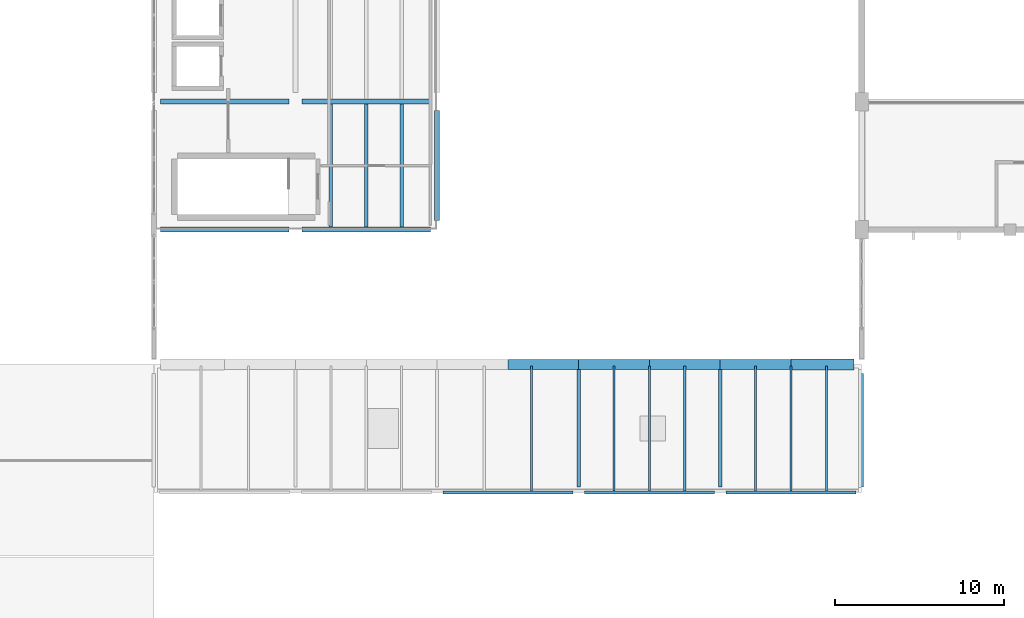
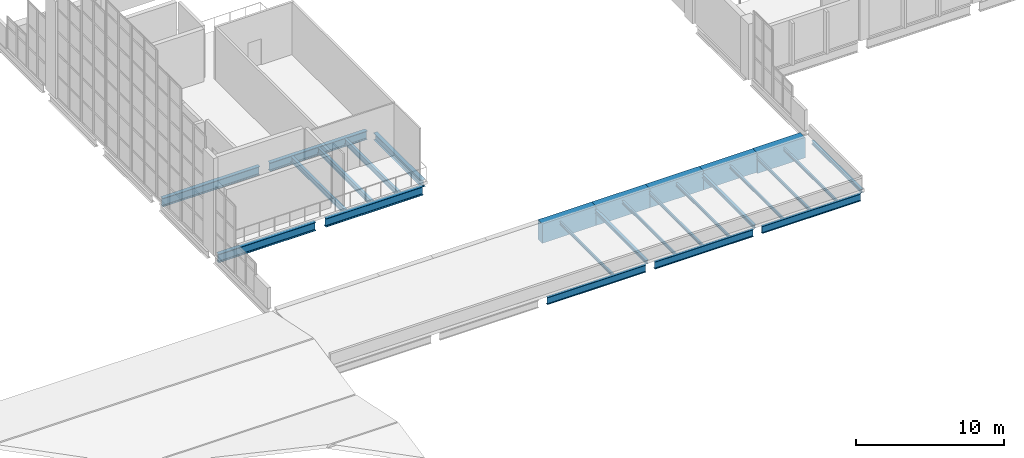
# One storey, part 11 of 37: 26 beams.
"""IFC4 building model written with IfcOpenShell, lengths in metres."""

from ifc_helpers import new_model, si_unit, direction, frame, origin, origin_2d, place, context, subcontext, project, spatial, rectangle, i_section, extrude, material, material_profile, profile_set, type_object, element, save


model = new_model("IFC4")

# Units and contexts
model_context = context("Model", 3, precision=1e-05, world=origin(), true_north=direction((0.0, 1.0)))
body_context = subcontext(model_context, "Body", "Model", "MODEL_VIEW")
ifc_project = project(units=[si_unit("LENGTHUNIT", "METRE"), si_unit("AREAUNIT", "SQUARE_METRE"), si_unit("VOLUMEUNIT", "CUBIC_METRE"), si_unit("PLANEANGLEUNIT", "RADIAN"), si_unit("MASSUNIT", "GRAM", prefix="KILO")], contexts=[model_context])

# Site, building, storey
site_placement = place(None, origin())
site = spatial("IfcSite", under=ifc_project, at=site_placement, CompositionType="ELEMENT")
building_placement = place(site_placement, origin())
building = spatial("IfcBuilding", under=site, at=building_placement, Name="Shengluoqiao Park Theatre", CompositionType="ELEMENT")
storey_placement = place(building_placement, frame((0.0, 0.0, 19.199951171875)))
storey = spatial("IfcBuildingStorey", under=building, at=storey_placement, Name="L04", CompositionType="ELEMENT", Elevation=19.199951171875)

# Beams
ifc_material_1 = material(Name="Concrete C50", Category="concrete")
ifc_material_profile_1 = material_profile(ifc_material_1, rectangle(XDim=0.60009765625, YDim=1.60009765625, at=origin_2d()), Name="RC EDGE 600x1600")
ifc_profile_set_1 = profile_set([ifc_material_profile_1], Name="Concrete C50")
beam_type_1 = type_object("IfcBeamType", Name="STR-BM-EB-6016", PredefinedType="BEAM", material=ifc_profile_set_1)
beam_1_placement = place(storey_placement, frame((65.39990234375, 76.0, -0.800048828125), z_axis=(1.0, 0.0, 0.0), x_axis=(0.0, 1.0, 0.0)))
element("IfcBeam", 1, at=beam_1_placement, inside=storey, type_object=beam_type_1, Name="Barrel-Shell Form I Edge Beam S-06", PredefinedType="BEAM", context=body_context, shape_type="SweptSolid", body=[
    extrude(rectangle(XDim=0.60009765625, YDim=1.60009765625, at=origin_2d()), origin(), (0.0, 0.0, 1.0), 4.2001953125),
])
for number, where, z_axis, x_axis, name in (
    (2, (69.60009765625, 76.0, -0.800048828125), (1.0, 0.0, 0.0), (0.0, 1.0, 0.0), "Barrel-Shell Form I Edge Beam S-07"),
    (3, (73.800048828125, 76.0, -0.800048828125), (1.0, 0.0, 0.0), (0.0, 1.0, 0.0), "Barrel-Shell Form I Edge Beam S-08"),
    (4, (78.0, 76.0, -0.800048828125), (1.0, 0.0, 0.0), (0.0, 1.0, 0.0), "Barrel-Shell Form I Edge Beam S-09"),
):
    element("IfcBeam", number, at=place(storey_placement, frame(where, z_axis=z_axis, x_axis=x_axis)), inside=storey, type_object=beam_type_1, Name=name, PredefinedType="BEAM", context=body_context, shape_type="SweptSolid", body=[
        extrude(rectangle(XDim=0.60009765625, YDim=1.60009765625, at=origin_2d()), origin(), (0.0, 0.0, 1.0), 4.199951171875),
    ])
ifc_material_profile_2 = material_profile(ifc_material_1, rectangle(XDim=0.64990234375, YDim=1.699951171875, at=origin_2d()), Name="RC EDGE 650x1700")
ifc_profile_set_2 = profile_set([ifc_material_profile_2], Name="Concrete C50")
beam_type_2 = type_object("IfcBeamType", Name="STR-BM-EB-6517", PredefinedType="BEAM", material=ifc_profile_set_2)
beam_2_placement = place(storey_placement, frame((82.199951171875, 76.0, -0.849853515625), z_axis=(1.0, 0.0, 0.0), x_axis=(0.0, 1.0, 0.0)))
element("IfcBeam", 5, at=beam_2_placement, inside=storey, type_object=beam_type_2, Name="Barrel-Shell Form I Edge Beam S-10", PredefinedType="BEAM", context=body_context, shape_type="SweptSolid", body=[
    extrude(rectangle(XDim=0.64990234375, YDim=1.699951171875, at=origin_2d()), origin(), (0.0, 0.0, 1.0), 3.75),
])
ifc_material_2 = material(Name="Steel Q355", Category="steel")
ifc_material_profile_3 = material_profile(ifc_material_2, i_section(OverallWidth=0.199951171875, OverallDepth=0.2939453125, WebThickness=0.008056640625, FlangeThickness=0.011962890625, FilletRadius=0.01611328125, at=origin_2d()), Name="HM 294x200x8x12")
ifc_profile_set_3 = profile_set([ifc_material_profile_3], Name="Steel Q355")
beam_type_3 = type_object("IfcBeamType", Name="STR-BM-G-HM294", PredefinedType="BEAM", material=ifc_profile_set_3)
for number, where, z_axis, x_axis, name in (
    (6, (69.60009765625, 68.743896484375, -0.39697265625), (0.0, 1.0, 0.0), (-1.0, 0.0, 0.0), "L04 Transverse Girder 01984"),
    (7, (78.0, 68.743896484375, -0.39697265625), (0.0, 1.0, 0.0), (-1.0, 0.0, 0.0), "L04 Transverse Girder 01985"),
):
    element("IfcBeam", number, at=place(storey_placement, frame(where, z_axis=z_axis, x_axis=x_axis)), inside=storey, type_object=beam_type_3, Name=name, PredefinedType="BEAM", context=body_context, shape_type="SweptSolid", body=[
        extrude(i_section(OverallWidth=0.199951171875, OverallDepth=0.2939453125, WebThickness=0.008056640625, FlangeThickness=0.011962890625, FilletRadius=0.01611328125, at=origin_2d()), origin(), (0.0, 0.0, 1.0), 6.97705078125),
    ])
beam_3_placement = place(storey_placement, frame((86.39990234375, 68.743896484375, -0.39697265625), z_axis=(0.0, 1.0, 0.0), x_axis=(-1.0, 0.0, 0.0)))
element("IfcBeam", 8, at=beam_3_placement, inside=storey, type_object=beam_type_3, Name="L04 Transverse Girder 01986", PredefinedType="BEAM", context=body_context, shape_type="SweptSolid", body=[
    extrude(i_section(OverallWidth=0.199951171875, OverallDepth=0.2939453125, WebThickness=0.008056640625, FlangeThickness=0.011962890625, FilletRadius=0.01611328125, at=origin_2d()), origin(), (0.0, 0.0, 1.0), 6.712158203125),
])
ifc_material_profile_4 = material_profile(ifc_material_2, i_section(OverallWidth=0.300048828125, OverallDepth=0.587890625, WebThickness=0.011962890625, FlangeThickness=0.02001953125, FilletRadius=0.02392578125, at=origin_2d()), Name="HM 588x300x12x20")
ifc_profile_set_4 = profile_set([ifc_material_profile_4], Name="Steel Q355")
beam_type_4 = type_object("IfcBeamType", Name="STR-BM-G-HM588", PredefinedType="BEAM", material=ifc_profile_set_4)
beam_4_placement = place(storey_placement, frame((61.199951171875, 84.5439453125, -0.533935546875), z_axis=(0.0, 1.0, 0.0), x_axis=(-1.0, 0.0, 0.0)))
element("IfcBeam", 9, at=beam_4_placement, inside=storey, type_object=beam_type_4, Name="L04 Transverse Girder 01500", PredefinedType="BEAM", context=body_context, shape_type="SweptSolid", body=[
    extrude(i_section(OverallWidth=0.300048828125, OverallDepth=0.587890625, WebThickness=0.011962890625, FlangeThickness=0.02001953125, FilletRadius=0.02392578125, at=origin_2d()), origin(), (0.0, 0.0, 1.0), 6.511962890625),
])
ifc_material_3 = material(Name="Steel Q390", Category="steel")
ifc_material_profile_5 = material_profile(ifc_material_3, i_section(OverallWidth=0.300048828125, OverallDepth=0.699951171875, WebThickness=0.012939453125, FlangeThickness=0.02392578125, FilletRadius=0.02392578125, at=origin_2d()), Name="HN 700x300x13x24")
ifc_profile_set_5 = profile_set([ifc_material_profile_5], Name="Steel Q390")
beam_type_5 = type_object("IfcBeamType", Name="STR-BM-G-HN700", PredefinedType="BEAM", material=ifc_profile_set_5)
beam_5_placement = place(storey_placement, frame((44.7939453125, 84.0, -0.58984375), z_axis=(1.0, 0.0, 0.0), x_axis=(0.0, 1.0, 0.0)))
element("IfcBeam", 10, at=beam_5_placement, inside=storey, type_object=beam_type_5, Name="L04 Primary Girder 01489", PredefinedType="BEAM", context=body_context, shape_type="SweptSolid", body=[
    extrude(i_section(OverallWidth=0.300048828125, OverallDepth=0.699951171875, WebThickness=0.012939453125, FlangeThickness=0.02392578125, FilletRadius=0.02392578125, at=origin_2d()), origin(), (0.0, 0.0, 1.0), 7.612060546875),
])
beam_6_placement = place(storey_placement, frame((53.194091796875, 84.0, -0.58984375), z_axis=(1.0, 0.0, 0.0), x_axis=(0.0, 1.0, 0.0)))
element("IfcBeam", 11, at=beam_6_placement, inside=storey, type_object=beam_type_5, Name="L04 Primary Girder 01490", PredefinedType="BEAM", context=body_context, shape_type="SweptSolid", body=[
    extrude(i_section(OverallWidth=0.300048828125, OverallDepth=0.699951171875, WebThickness=0.012939453125, FlangeThickness=0.02392578125, FilletRadius=0.02392578125, at=origin_2d()), origin(), (0.0, 0.0, 1.0), 7.61181640625),
])
beam_7_placement = place(storey_placement, frame((44.7939453125, 91.60009765625, -0.58984375), z_axis=(1.0, 0.0, 0.0), x_axis=(0.0, 1.0, 0.0)))
element("IfcBeam", 12, at=beam_7_placement, inside=storey, type_object=beam_type_5, Name="L04 Primary Girder 01491", PredefinedType="BEAM", context=body_context, shape_type="SweptSolid", body=[
    extrude(i_section(OverallWidth=0.300048828125, OverallDepth=0.699951171875, WebThickness=0.012939453125, FlangeThickness=0.02392578125, FilletRadius=0.02392578125, at=origin_2d()), origin(), (0.0, 0.0, 1.0), 7.612060546875),
])
beam_8_placement = place(storey_placement, frame((53.194091796875, 91.60009765625, -0.58984375), z_axis=(1.0, 0.0, 0.0), x_axis=(0.0, 1.0, 0.0)))
element("IfcBeam", 13, at=beam_8_placement, inside=storey, type_object=beam_type_5, Name="L04 Primary Girder 01492", PredefinedType="BEAM", context=body_context, shape_type="SweptSolid", body=[
    extrude(i_section(OverallWidth=0.300048828125, OverallDepth=0.699951171875, WebThickness=0.012939453125, FlangeThickness=0.02392578125, FilletRadius=0.02392578125, at=origin_2d()), origin(), (0.0, 0.0, 1.0), 7.61181640625),
])
ifc_material_profile_6 = material_profile(ifc_material_2, i_section(OverallWidth=0.125, OverallDepth=0.25, WebThickness=0.006103515625, FlangeThickness=0.009033203125, FilletRadius=0.010009765625, at=origin_2d()), Name="HN 250x125x6x9")
ifc_profile_set_6 = profile_set([ifc_material_profile_6], Name="Steel Q355")
beam_type_6 = type_object("IfcBeamType", Name="STR-BM-J-HN250", PredefinedType="JOIST", material=ifc_profile_set_6)
for number, where, z_axis, x_axis, name in (
    (14, (66.800048828125, 68.494384765625, -0.375), (0.0, 1.0, 0.0), (-1.0, 0.0, 0.0), "L04 Composite Joist 01993"),
    (15, (71.699951171875, 68.494384765625, -0.375), (0.0, 1.0, 0.0), (-1.0, 0.0, 0.0), "L04 Composite Joist 01994"),
    (16, (73.800048828125, 68.494384765625, -0.375), (0.0, 1.0, 0.0), (-1.0, 0.0, 0.0), "L04 Composite Joist 01995"),
    (17, (75.89990234375, 68.494384765625, -0.375), (0.0, 1.0, 0.0), (-1.0, 0.0, 0.0), "L04 Composite Joist 01996"),
    (18, (80.10009765625, 68.494384765625, -0.375), (0.0, 1.0, 0.0), (-1.0, 0.0, 0.0), "L04 Composite Joist 01997"),
    (19, (82.199951171875, 68.494384765625, -0.375), (0.0, 1.0, 0.0), (-1.0, 0.0, 0.0), "L04 Composite Joist 01998"),
    (20, (84.300048828125, 68.494384765625, -0.375), (0.0, 1.0, 0.0), (-1.0, 0.0, 0.0), "L04 Composite Joist 01999"),
):
    element("IfcBeam", number, at=place(storey_placement, frame(where, z_axis=z_axis, x_axis=x_axis)), inside=storey, type_object=beam_type_6, Name=name, PredefinedType="JOIST", context=body_context, shape_type="SweptSolid", body=[
        extrude(i_section(OverallWidth=0.125, OverallDepth=0.25, WebThickness=0.006103515625, FlangeThickness=0.009033203125, FilletRadius=0.010009765625, at=origin_2d()), origin(), (0.0, 0.0, 1.0), 7.4111328125),
    ])
ifc_material_profile_7 = material_profile(ifc_material_2, i_section(OverallWidth=0.199951171875, OverallDepth=0.449951171875, WebThickness=0.009033203125, FlangeThickness=0.013916015625, FilletRadius=0.01611328125, at=origin_2d()), Name="HN 450x200x9x14")
ifc_profile_set_7 = profile_set([ifc_material_profile_7], Name="Steel Q355")
beam_type_7 = type_object("IfcBeamType", Name="STR-BM-J-HN450", PredefinedType="JOIST", material=ifc_profile_set_7)
for number, where, z_axis, x_axis, name in (
    (21, (54.89990234375, 84.14501953125, -0.46484375), (0.0, 1.0, 0.0), (-1.0, 0.0, 0.0), "L04 Composite Joist 01503"),
    (22, (57.0, 84.14501953125, -0.46484375), (0.0, 1.0, 0.0), (-1.0, 0.0, 0.0), "L04 Composite Joist 01504"),
    (23, (59.10009765625, 84.14501953125, -0.46484375), (0.0, 1.0, 0.0), (-1.0, 0.0, 0.0), "L04 Composite Joist 01505"),
):
    element("IfcBeam", number, at=place(storey_placement, frame(where, z_axis=z_axis, x_axis=x_axis)), inside=storey, type_object=beam_type_7, Name=name, PredefinedType="JOIST", context=body_context, shape_type="SweptSolid", body=[
        extrude(i_section(OverallWidth=0.199951171875, OverallDepth=0.449951171875, WebThickness=0.009033203125, FlangeThickness=0.013916015625, FilletRadius=0.01611328125, at=origin_2d()), origin(), (0.0, 0.0, 1.0), 7.31005859375),
    ])
ifc_material_profile_8 = material_profile(ifc_material_2, i_section(OverallWidth=0.198974609375, OverallDepth=0.595947265625, WebThickness=0.010009765625, FlangeThickness=0.014892578125, FilletRadius=0.02001953125, at=origin_2d()), Name="HN 596x199x10x15")
ifc_profile_set_8 = profile_set([ifc_material_profile_8], Name="Steel Q355")
beam_type_8 = type_object("IfcBeamType", Name="STR-BM-SP-HN596", PredefinedType="SPANDREL", material=ifc_profile_set_8)
beam_9_placement = place(storey_placement, frame((61.5439453125, 68.39990234375, -0.5478515625), z_axis=(1.0, 0.0, 0.0), x_axis=(0.0, 1.0, 0.0)))
element("IfcBeam", 24, at=beam_9_placement, inside=storey, type_object=beam_type_8, Name="L04 Primary Girder 01978", PredefinedType="SPANDREL", context=body_context, shape_type="SweptSolid", body=[
    extrude(i_section(OverallWidth=0.198974609375, OverallDepth=0.595947265625, WebThickness=0.010009765625, FlangeThickness=0.014892578125, FilletRadius=0.02001953125, at=origin_2d()), origin(), (0.0, 0.0, 1.0), 7.712158203125),
])
for number, where, z_axis, x_axis, name in (
    (25, (69.944091796875, 68.39990234375, -0.5478515625), (1.0, 0.0, 0.0), (0.0, 1.0, 0.0), "L04 Primary Girder 01979"),
    (26, (78.343994140625, 68.39990234375, -0.5478515625), (1.0, 0.0, 0.0), (0.0, 1.0, 0.0), "L04 Primary Girder 01980"),
):
    element("IfcBeam", number, at=place(storey_placement, frame(where, z_axis=z_axis, x_axis=x_axis)), inside=storey, type_object=beam_type_8, Name=name, PredefinedType="SPANDREL", context=body_context, shape_type="SweptSolid", body=[
        extrude(i_section(OverallWidth=0.198974609375, OverallDepth=0.595947265625, WebThickness=0.010009765625, FlangeThickness=0.014892578125, FilletRadius=0.02001953125, at=origin_2d()), origin(), (0.0, 0.0, 1.0), 7.7119140625),
    ])

save(model, "model.ifc")
